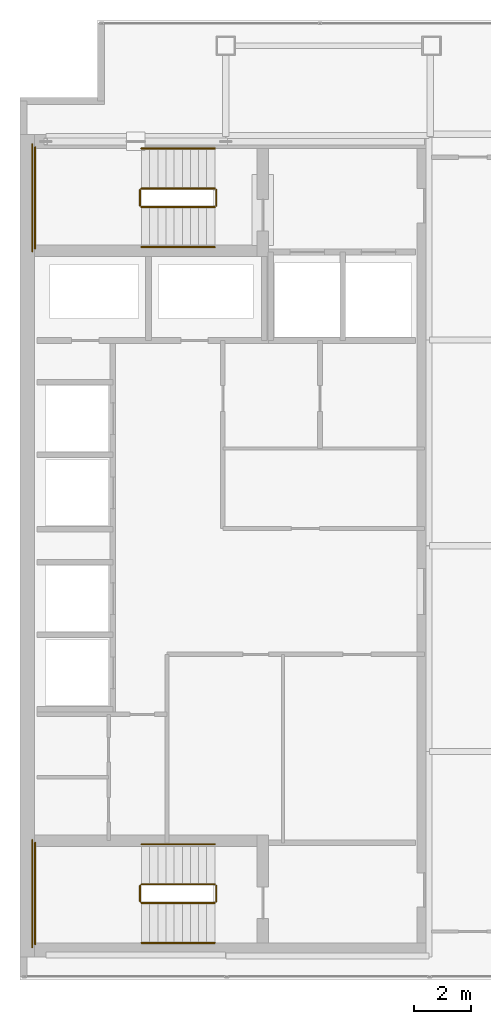
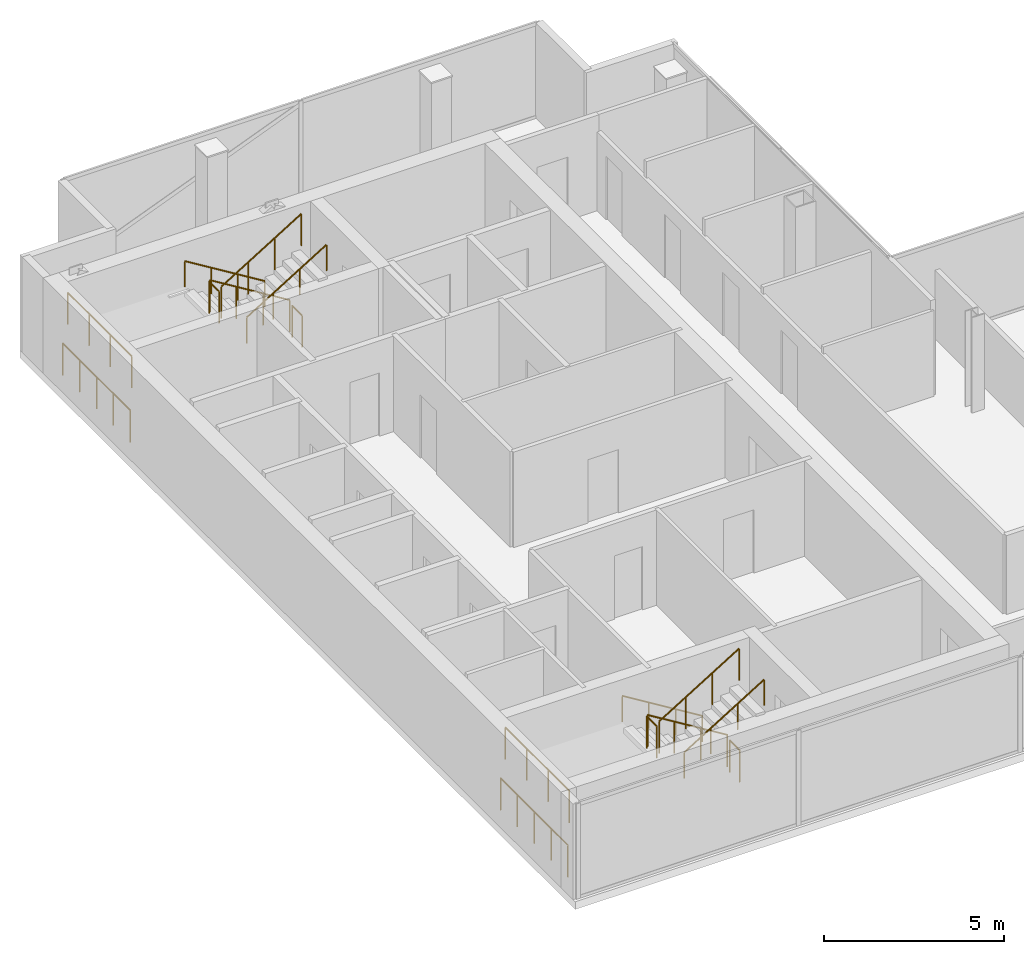
# One storey, part 24 of 24: 16 railings.
"""IFC4 building model written with IfcOpenShell, lengths in metres."""

from ifc_helpers import new_model, si_unit, direction, frame, origin, origin_2d, place, context, subcontext, project, spatial, circle, extrude, material, type_object, element, save


model = new_model("IFC4")

# Units and contexts
model_context = context("Model", 3, precision=1e-05, world=origin(), true_north=direction((0.0, 1.0)))
body_context = subcontext(model_context, "Body", "Model", "MODEL_VIEW")
ifc_project = project(units=[si_unit("LENGTHUNIT", "METRE"), si_unit("AREAUNIT", "SQUARE_METRE"), si_unit("VOLUMEUNIT", "CUBIC_METRE"), si_unit("PLANEANGLEUNIT", "RADIAN"), si_unit("MASSUNIT", "GRAM", prefix="KILO")], contexts=[model_context])

# Site, building, storey
site_placement = place(None, origin())
site = spatial("IfcSite", under=ifc_project, at=site_placement, CompositionType="ELEMENT")
building_placement = place(site_placement, origin())
building = spatial("IfcBuilding", under=site, at=building_placement, Name="Cobrela Telecom Tower", CompositionType="ELEMENT")
storey_placement = place(building_placement, frame((0.0, 0.0, 290.14990234375)))
storey = spatial("IfcBuildingStorey", under=building, at=storey_placement, Name="L76", CompositionType="ELEMENT", Elevation=290.14990234375)

# Railings
ifc_material = material(Name="Steel ASTM A36", Category="steel")
railing_type_1 = type_object("IfcRailingType", Name="RAIL-GUARD-1100", PredefinedType="GUARDRAIL", material=ifc_material)
railing_1_placement = place(storey_placement, frame((6.820068359375, 34.10009765625, 0.175048828125)))
element("IfcRailing", 1, at=railing_1_placement, inside=storey, type_object=railing_type_1, Name="L76 ST1 stair guard 1", PredefinedType="GUARDRAIL", context=body_context, shape_type="SweptSolid", body=[
    extrude(circle(Radius=0.02392578125, at=origin_2d()), frame((0.0, 0.0, 1.076171875), z_axis=(-0.852195335862, 0.0, 0.523223766217), x_axis=(0.0, -1.0, 0.0)), (0.0, 0.0, 1.0), 3.010009765625),
    extrude(circle(Radius=0.02099609375, at=origin_2d()), origin(), (0.0, 0.0, 1.0), 1.052001953125),
    extrude(circle(Radius=0.02099609375, at=origin_2d()), frame((-0.85498046875, 0.0, 0.52490234375)), (0.0, 0.0, 1.0), 1.052001953125),
    extrude(circle(Radius=0.02099609375, at=origin_2d()), frame((-1.710205078125, 0.0, 1.050048828125)), (0.0, 0.0, 1.0), 1.052001953125),
    extrude(circle(Radius=0.02099609375, at=origin_2d()), frame((-2.565185546875, 0.0, 1.574951171875)), (0.0, 0.0, 1.0), 1.052001953125),
])
railing_2_placement = place(storey_placement, frame((4.205078125, 34.050048828125, 1.75)))
element("IfcRailing", 2, at=railing_2_placement, inside=storey, type_object=railing_type_1, Name="L76 ST1 stair guard 2", PredefinedType="GUARDRAIL", context=body_context, shape_type="SweptSolid", body=[
    extrude(circle(Radius=0.02392578125, at=origin_2d()), frame((0.0, 0.0, 1.076171875), z_axis=(0.0, -1.0, 0.0), x_axis=(1.0, 0.0, 0.0)), (0.0, 0.0, 1.0), 0.550048828125),
    extrude(circle(Radius=0.02099609375, at=origin_2d()), origin(), (0.0, 0.0, 1.0), 1.052001953125),
    extrude(circle(Radius=0.02099609375, at=origin_2d()), frame((0.0, -0.550048828125, 0.0)), (0.0, 0.0, 1.0), 1.052001953125),
])
railing_3_placement = place(storey_placement, frame((0.530029296875, 35.550048828125, 1.75)))
element("IfcRailing", 3, at=railing_3_placement, inside=storey, type_object=railing_type_1, Name="L76 ST1 stair guard 3", PredefinedType="GUARDRAIL", context=body_context, shape_type="SweptSolid", body=[
    extrude(circle(Radius=0.02392578125, at=origin_2d()), frame((0.0, 0.0, 1.076171875), z_axis=(0.0, -1.0, 0.0), x_axis=(1.0, 0.0, 0.0)), (0.0, 0.0, 1.0), 3.550048828125),
    extrude(circle(Radius=0.02099609375, at=origin_2d()), origin(), (0.0, 0.0, 1.0), 1.052001953125),
    extrude(circle(Radius=0.02099609375, at=origin_2d()), frame((0.0, -1.183349609375, 0.0)), (0.0, 0.0, 1.0), 1.052001953125),
    extrude(circle(Radius=0.02099609375, at=origin_2d()), frame((0.0, -2.36669921875, 0.0)), (0.0, 0.0, 1.0), 1.052001953125),
    extrude(circle(Radius=0.02099609375, at=origin_2d()), frame((0.0, -3.550048828125, 0.0)), (0.0, 0.0, 1.0), 1.052001953125),
])
railing_4_placement = place(storey_placement, frame((4.2548828125, 33.449951171875, 1.925048828125)))
element("IfcRailing", 4, at=railing_4_placement, inside=storey, type_object=railing_type_1, Name="L76 ST1 stair guard 4", PredefinedType="GUARDRAIL", context=body_context, shape_type="SweptSolid", body=[
    extrude(circle(Radius=0.02392578125, at=origin_2d()), frame((0.0, 0.0, 1.076171875), z_axis=(0.852195335862, 0.0, 0.523223766217), x_axis=(0.0, 1.0, 0.0)), (0.0, 0.0, 1.0), 3.010009765625),
    extrude(circle(Radius=0.02099609375, at=origin_2d()), origin(), (0.0, 0.0, 1.0), 1.052001953125),
    extrude(circle(Radius=0.02099609375, at=origin_2d()), frame((0.85498046875, 0.0, 0.52490234375)), (0.0, 0.0, 1.0), 1.052001953125),
    extrude(circle(Radius=0.02099609375, at=origin_2d()), frame((1.710205078125, 0.0, 1.050048828125)), (0.0, 0.0, 1.0), 1.052001953125),
    extrude(circle(Radius=0.02099609375, at=origin_2d()), frame((2.565185546875, 0.0, 1.574951171875)), (0.0, 0.0, 1.0), 1.052001953125),
])
railing_5_placement = place(storey_placement, frame((6.8701171875, 34.050048828125, 0.0)))
element("IfcRailing", 5, at=railing_5_placement, inside=storey, type_object=railing_type_1, Name="L76 ST1 stair guard 5", PredefinedType="GUARDRAIL", context=body_context, shape_type="SweptSolid", body=[
    extrude(circle(Radius=0.02392578125, at=origin_2d()), frame((0.0, 0.0, 1.076171875), z_axis=(0.0, -1.0, 0.0), x_axis=(1.0, 0.0, 0.0)), (0.0, 0.0, 1.0), 0.550048828125),
    extrude(circle(Radius=0.02099609375, at=origin_2d()), origin(), (0.0, 0.0, 1.0), 1.052001953125),
    extrude(circle(Radius=0.02099609375, at=origin_2d()), frame((0.0, -0.550048828125, 0.0)), (0.0, 0.0, 1.0), 1.052001953125),
])
railing_6_placement = place(storey_placement, frame((0.429931640625, 35.64990234375, 0.0)))
element("IfcRailing", 6, at=railing_6_placement, inside=storey, type_object=railing_type_1, Name="L76 ST1 stair guard 6", PredefinedType="GUARDRAIL", context=body_context, shape_type="SweptSolid", body=[
    extrude(circle(Radius=0.02392578125, at=origin_2d()), frame((0.0, 0.0, 1.076171875), z_axis=(0.0, -1.0, 0.0), x_axis=(1.0, 0.0, 0.0)), (0.0, 0.0, 1.0), 3.75),
    extrude(circle(Radius=0.02099609375, at=origin_2d()), origin(), (0.0, 0.0, 1.0), 1.052001953125),
    extrude(circle(Radius=0.02099609375, at=origin_2d()), frame((0.0, -0.9375, 0.0)), (0.0, 0.0, 1.0), 1.052001953125),
    extrude(circle(Radius=0.02099609375, at=origin_2d()), frame((0.0, -1.875, 0.0)), (0.0, 0.0, 1.0), 1.052001953125),
    extrude(circle(Radius=0.02099609375, at=origin_2d()), frame((0.0, -2.8125, 0.0)), (0.0, 0.0, 1.0), 1.052001953125),
    extrude(circle(Radius=0.02099609375, at=origin_2d()), frame((0.0, -3.75, 0.0)), (0.0, 0.0, 1.0), 1.052001953125),
])
railing_7_placement = place(storey_placement, frame((6.820068359375, 9.75, 0.175048828125)))
element("IfcRailing", 7, at=railing_7_placement, inside=storey, type_object=railing_type_1, Name="L76 ST2 stair guard 1", PredefinedType="GUARDRAIL", context=body_context, shape_type="SweptSolid", body=[
    extrude(circle(Radius=0.02392578125, at=origin_2d()), frame((0.0, 0.0, 1.076171875), z_axis=(-0.852195335862, 0.0, 0.523223766217), x_axis=(0.0, -1.0, 0.0)), (0.0, 0.0, 1.0), 3.010009765625),
    extrude(circle(Radius=0.02099609375, at=origin_2d()), origin(), (0.0, 0.0, 1.0), 1.052001953125),
    extrude(circle(Radius=0.02099609375, at=origin_2d()), frame((-0.85498046875, 0.0, 0.52490234375)), (0.0, 0.0, 1.0), 1.052001953125),
    extrude(circle(Radius=0.02099609375, at=origin_2d()), frame((-1.710205078125, 0.0, 1.050048828125)), (0.0, 0.0, 1.0), 1.052001953125),
    extrude(circle(Radius=0.02099609375, at=origin_2d()), frame((-2.565185546875, 0.0, 1.574951171875)), (0.0, 0.0, 1.0), 1.052001953125),
])
railing_8_placement = place(storey_placement, frame((4.205078125, 9.699951171875, 1.75)))
element("IfcRailing", 8, at=railing_8_placement, inside=storey, type_object=railing_type_1, Name="L76 ST2 stair guard 2", PredefinedType="GUARDRAIL", context=body_context, shape_type="SweptSolid", body=[
    extrude(circle(Radius=0.02392578125, at=origin_2d()), frame((0.0, 0.0, 1.076171875), z_axis=(0.0, -1.0, 0.0), x_axis=(1.0, 0.0, 0.0)), (0.0, 0.0, 1.0), 0.550048828125),
    extrude(circle(Radius=0.02099609375, at=origin_2d()), origin(), (0.0, 0.0, 1.0), 1.052001953125),
    extrude(circle(Radius=0.02099609375, at=origin_2d()), frame((0.0, -0.550048828125, 0.0)), (0.0, 0.0, 1.0), 1.052001953125),
])
railing_9_placement = place(storey_placement, frame((0.530029296875, 11.199951171875, 1.75)))
element("IfcRailing", 9, at=railing_9_placement, inside=storey, type_object=railing_type_1, Name="L76 ST2 stair guard 3", PredefinedType="GUARDRAIL", context=body_context, shape_type="SweptSolid", body=[
    extrude(circle(Radius=0.02392578125, at=origin_2d()), frame((0.0, 0.0, 1.076171875), z_axis=(0.0, -1.0, 0.0), x_axis=(1.0, 0.0, 0.0)), (0.0, 0.0, 1.0), 3.550048828125),
    extrude(circle(Radius=0.02099609375, at=origin_2d()), origin(), (0.0, 0.0, 1.0), 1.052001953125),
    extrude(circle(Radius=0.02099609375, at=origin_2d()), frame((0.0, -1.183349609375, 0.0)), (0.0, 0.0, 1.0), 1.052001953125),
    extrude(circle(Radius=0.02099609375, at=origin_2d()), frame((0.0, -2.36669921875, 0.0)), (0.0, 0.0, 1.0), 1.052001953125),
    extrude(circle(Radius=0.02099609375, at=origin_2d()), frame((0.0, -3.550048828125, 0.0)), (0.0, 0.0, 1.0), 1.052001953125),
])
railing_10_placement = place(storey_placement, frame((4.2548828125, 9.10009765625, 1.925048828125)))
element("IfcRailing", 10, at=railing_10_placement, inside=storey, type_object=railing_type_1, Name="L76 ST2 stair guard 4", PredefinedType="GUARDRAIL", context=body_context, shape_type="SweptSolid", body=[
    extrude(circle(Radius=0.02392578125, at=origin_2d()), frame((0.0, 0.0, 1.076171875), z_axis=(0.852195335862, 0.0, 0.523223766217), x_axis=(0.0, 1.0, 0.0)), (0.0, 0.0, 1.0), 3.010009765625),
    extrude(circle(Radius=0.02099609375, at=origin_2d()), origin(), (0.0, 0.0, 1.0), 1.052001953125),
    extrude(circle(Radius=0.02099609375, at=origin_2d()), frame((0.85498046875, 0.0, 0.52490234375)), (0.0, 0.0, 1.0), 1.052001953125),
    extrude(circle(Radius=0.02099609375, at=origin_2d()), frame((1.710205078125, 0.0, 1.050048828125)), (0.0, 0.0, 1.0), 1.052001953125),
    extrude(circle(Radius=0.02099609375, at=origin_2d()), frame((2.565185546875, 0.0, 1.574951171875)), (0.0, 0.0, 1.0), 1.052001953125),
])
railing_11_placement = place(storey_placement, frame((6.8701171875, 9.699951171875, 0.0)))
element("IfcRailing", 11, at=railing_11_placement, inside=storey, type_object=railing_type_1, Name="L76 ST2 stair guard 5", PredefinedType="GUARDRAIL", context=body_context, shape_type="SweptSolid", body=[
    extrude(circle(Radius=0.02392578125, at=origin_2d()), frame((0.0, 0.0, 1.076171875), z_axis=(0.0, -1.0, 0.0), x_axis=(1.0, 0.0, 0.0)), (0.0, 0.0, 1.0), 0.550048828125),
    extrude(circle(Radius=0.02099609375, at=origin_2d()), origin(), (0.0, 0.0, 1.0), 1.052001953125),
    extrude(circle(Radius=0.02099609375, at=origin_2d()), frame((0.0, -0.550048828125, 0.0)), (0.0, 0.0, 1.0), 1.052001953125),
])
railing_12_placement = place(storey_placement, frame((0.429931640625, 11.300048828125, 0.0)))
element("IfcRailing", 12, at=railing_12_placement, inside=storey, type_object=railing_type_1, Name="L76 ST2 stair guard 6", PredefinedType="GUARDRAIL", context=body_context, shape_type="SweptSolid", body=[
    extrude(circle(Radius=0.02392578125, at=origin_2d()), frame((0.0, 0.0, 1.076171875), z_axis=(0.0, -1.0, 0.0), x_axis=(1.0, 0.0, 0.0)), (0.0, 0.0, 1.0), 3.75),
    extrude(circle(Radius=0.02099609375, at=origin_2d()), origin(), (0.0, 0.0, 1.0), 1.052001953125),
    extrude(circle(Radius=0.02099609375, at=origin_2d()), frame((0.0, -0.9375, 0.0)), (0.0, 0.0, 1.0), 1.052001953125),
    extrude(circle(Radius=0.02099609375, at=origin_2d()), frame((0.0, -1.875, 0.0)), (0.0, 0.0, 1.0), 1.052001953125),
    extrude(circle(Radius=0.02099609375, at=origin_2d()), frame((0.0, -2.8125, 0.0)), (0.0, 0.0, 1.0), 1.052001953125),
    extrude(circle(Radius=0.02099609375, at=origin_2d()), frame((0.0, -3.75, 0.0)), (0.0, 0.0, 1.0), 1.052001953125),
])
railing_type_2 = type_object("IfcRailingType", Name="RAIL-HAND-920", PredefinedType="HANDRAIL", material=ifc_material)
railing_13_placement = place(storey_placement, frame((6.820068359375, 35.5, 0.175048828125)))
element("IfcRailing", 13, at=railing_13_placement, inside=storey, type_object=railing_type_2, Name="L76 ST1 stair handrail 1", PredefinedType="HANDRAIL", context=body_context, shape_type="SweptSolid", body=[
    extrude(circle(Radius=0.02392578125, at=origin_2d()), frame((0.0, 0.0, 0.8759765625), z_axis=(-0.852195335862, 0.0, 0.523223766217), x_axis=(0.0, -1.0, 0.0)), (0.0, 0.0, 1.0), 3.010009765625),
    extrude(circle(Radius=0.02099609375, at=origin_2d()), origin(), (0.0, 0.0, 1.0), 0.851806640625),
    extrude(circle(Radius=0.02099609375, at=origin_2d()), frame((-0.85498046875, 0.0, 0.52490234375)), (0.0, 0.0, 1.0), 0.851806640625),
    extrude(circle(Radius=0.02099609375, at=origin_2d()), frame((-1.710205078125, 0.0, 1.050048828125)), (0.0, 0.0, 1.0), 0.851806640625),
    extrude(circle(Radius=0.02099609375, at=origin_2d()), frame((-2.565185546875, 0.0, 1.574951171875)), (0.0, 0.0, 1.0), 0.851806640625),
])
railing_14_placement = place(storey_placement, frame((4.2548828125, 32.050048828125, 1.925048828125)))
element("IfcRailing", 14, at=railing_14_placement, inside=storey, type_object=railing_type_2, Name="L76 ST1 stair handrail 2", PredefinedType="HANDRAIL", context=body_context, shape_type="SweptSolid", body=[
    extrude(circle(Radius=0.02392578125, at=origin_2d()), frame((0.0, 0.0, 0.8759765625), z_axis=(0.852195335862, 0.0, 0.523223766217), x_axis=(0.0, 1.0, 0.0)), (0.0, 0.0, 1.0), 3.010009765625),
    extrude(circle(Radius=0.02099609375, at=origin_2d()), origin(), (0.0, 0.0, 1.0), 0.851806640625),
    extrude(circle(Radius=0.02099609375, at=origin_2d()), frame((0.85498046875, 0.0, 0.52490234375)), (0.0, 0.0, 1.0), 0.851806640625),
    extrude(circle(Radius=0.02099609375, at=origin_2d()), frame((1.710205078125, 0.0, 1.050048828125)), (0.0, 0.0, 1.0), 0.851806640625),
    extrude(circle(Radius=0.02099609375, at=origin_2d()), frame((2.565185546875, 0.0, 1.574951171875)), (0.0, 0.0, 1.0), 0.851806640625),
])
railing_15_placement = place(storey_placement, frame((6.820068359375, 11.14990234375, 0.175048828125)))
element("IfcRailing", 15, at=railing_15_placement, inside=storey, type_object=railing_type_2, Name="L76 ST2 stair handrail 1", PredefinedType="HANDRAIL", context=body_context, shape_type="SweptSolid", body=[
    extrude(circle(Radius=0.02392578125, at=origin_2d()), frame((0.0, 0.0, 0.8759765625), z_axis=(-0.852195335862, 0.0, 0.523223766217), x_axis=(0.0, -1.0, 0.0)), (0.0, 0.0, 1.0), 3.010009765625),
    extrude(circle(Radius=0.02099609375, at=origin_2d()), origin(), (0.0, 0.0, 1.0), 0.851806640625),
    extrude(circle(Radius=0.02099609375, at=origin_2d()), frame((-0.85498046875, 0.0, 0.52490234375)), (0.0, 0.0, 1.0), 0.851806640625),
    extrude(circle(Radius=0.02099609375, at=origin_2d()), frame((-1.710205078125, 0.0, 1.050048828125)), (0.0, 0.0, 1.0), 0.851806640625),
    extrude(circle(Radius=0.02099609375, at=origin_2d()), frame((-2.565185546875, 0.0, 1.574951171875)), (0.0, 0.0, 1.0), 0.851806640625),
])
railing_16_placement = place(storey_placement, frame((4.2548828125, 7.699951171875, 1.925048828125)))
element("IfcRailing", 16, at=railing_16_placement, inside=storey, type_object=railing_type_2, Name="L76 ST2 stair handrail 2", PredefinedType="HANDRAIL", context=body_context, shape_type="SweptSolid", body=[
    extrude(circle(Radius=0.02392578125, at=origin_2d()), frame((0.0, 0.0, 0.8759765625), z_axis=(0.852195335862, 0.0, 0.523223766217), x_axis=(0.0, 1.0, 0.0)), (0.0, 0.0, 1.0), 3.010009765625),
    extrude(circle(Radius=0.02099609375, at=origin_2d()), origin(), (0.0, 0.0, 1.0), 0.851806640625),
    extrude(circle(Radius=0.02099609375, at=origin_2d()), frame((0.85498046875, 0.0, 0.52490234375)), (0.0, 0.0, 1.0), 0.851806640625),
    extrude(circle(Radius=0.02099609375, at=origin_2d()), frame((1.710205078125, 0.0, 1.050048828125)), (0.0, 0.0, 1.0), 0.851806640625),
    extrude(circle(Radius=0.02099609375, at=origin_2d()), frame((2.565185546875, 0.0, 1.574951171875)), (0.0, 0.0, 1.0), 0.851806640625),
])

save(model, "model.ifc")
